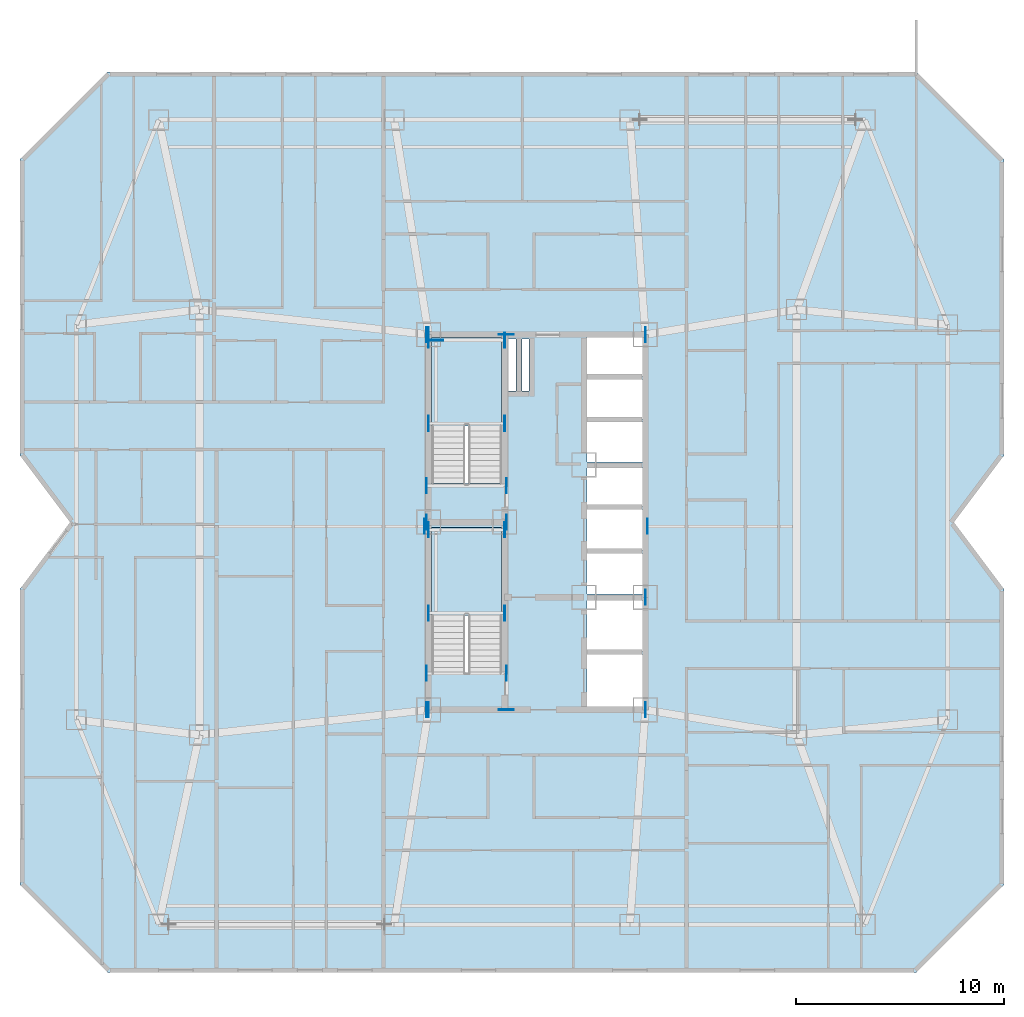
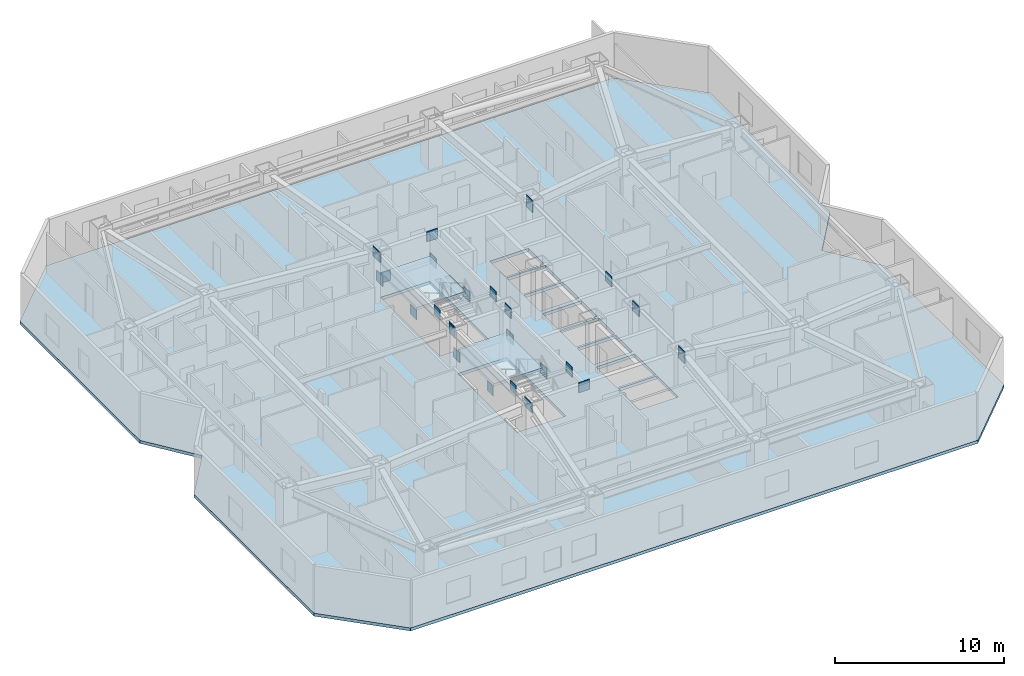
# One storey, part 2 of 11: 28 plates, 3 slabs, 2 elements without a shape of their own.
"""IFC4 building model written with IfcOpenShell, lengths in metres."""

from ifc_helpers import new_model, si_unit, direction, frame, origin, origin_2d, place, context, subcontext, project, spatial, polyline, rectangle, outline, extrude, material, layer, layer_set, type_object, element, aggregate, save


model = new_model("IFC4")

# Units and contexts
model_context = context("Model", 3, precision=1e-05, world=origin(), true_north=direction((0.0, 1.0)))
body_context = subcontext(model_context, "Body", "Model", "MODEL_VIEW")
ifc_project = project(units=[si_unit("LENGTHUNIT", "METRE"), si_unit("AREAUNIT", "SQUARE_METRE"), si_unit("VOLUMEUNIT", "CUBIC_METRE"), si_unit("PLANEANGLEUNIT", "RADIAN"), si_unit("MASSUNIT", "GRAM", prefix="KILO")], contexts=[model_context])

# Site, building, storey
site_placement = place(None, origin())
site = spatial("IfcSite", under=ifc_project, at=site_placement, CompositionType="ELEMENT")
building_placement = place(site_placement, origin())
building = spatial("IfcBuilding", under=site, at=building_placement, Name="Khamvora Tower", CompositionType="ELEMENT")
storey_placement = place(building_placement, frame((0.0, 0.0, 116.5)))
storey = spatial("IfcBuildingStorey", under=building, at=storey_placement, Name="L29", CompositionType="ELEMENT", Elevation=116.5)

# Plates
ifc_material_1 = material(Name="Steel S460", Category="steel")
ifc_layer_1 = layer(ifc_material_1, 0.034912109375)
ifc_layer_set_1 = layer_set([ifc_layer_1], Name="Steel S460")
plate_type = type_object("IfcPlateType", Name="PL-EMB-35", PredefinedType="SHEET", material=ifc_layer_set_1)
for number, where, z_axis, x_axis, name in (
    (1, (29.0, 23.635009765625, 1.1337890625), (0.0, 0.0, 1.0), (1.0, 0.0, 0.0), "L29 core shear wall cast-in embed plate 0852"),
    (2, (32.64990234375, 23.635009765625, 1.1337890625), (0.0, 0.0, 1.0), (1.0, 0.0, 0.0), "L29 core shear wall cast-in embed plate 0853"),
    (3, (29.0, 27.6298828125, 1.1337890625), (0.0, 0.0, 1.0), (1.0, 0.0, 0.0), "L29 core shear wall cast-in embed plate 0854"),
    (4, (32.64990234375, 27.6298828125, 1.1337890625), (0.0, 0.0, 1.0), (1.0, 0.0, 0.0), "L29 core shear wall cast-in embed plate 0855"),
    (5, (29.0, 32.735107421875, 1.1337890625), (0.0, 0.0, 1.0), (1.0, 0.0, 0.0), "L29 core shear wall cast-in embed plate 0856"),
    (6, (32.64990234375, 32.735107421875, 1.1337890625), (0.0, 0.0, 1.0), (1.0, 0.0, 0.0), "L29 core shear wall cast-in embed plate 0857"),
    (7, (29.0, 36.72998046875, 1.1337890625), (0.0, 0.0, 1.0), (1.0, 0.0, 0.0), "L29 core shear wall cast-in embed plate 0858"),
    (8, (32.64990234375, 36.72998046875, 1.1337890625), (0.0, 0.0, 1.0), (1.0, 0.0, 0.0), "L29 core shear wall cast-in embed plate 0859"),
):
    element("IfcPlate", number, at=place(storey_placement, frame(where, z_axis=z_axis, x_axis=x_axis)), inside=storey, type_object=plate_type, Name=name, PredefinedType="SHEET", context=body_context, shape_type="SweptSolid", body=[
        extrude(rectangle(XDim=0.034912109375, YDim=0.719970703125, at=origin_2d()), origin(), (0.0, 0.0, 1.0), 0.719970703125),
    ])
plate_1_placement = place(storey_placement, frame((29.35009765625, 36.72998046875, 1.1337890625), z_axis=(0.0, 0.0, 1.0), x_axis=(1.0, 0.0, 0.0)))
element("IfcPlate", 9, at=plate_1_placement, inside=storey, type_object=plate_type, Name="L29 core shear wall cast-in embed plate 0860", PredefinedType="SHEET", context=body_context, shape_type="SweptSolid", body=[
    extrude(rectangle(XDim=0.719970703125, YDim=0.034912109375, at=origin_2d()), origin(), (0.0, 0.0, 1.0), 0.719970703125),
])
for number, where, z_axis, x_axis, name in (
    (10, (29.0, 19.0, 2.68408203125), (0.0, 0.0, 1.0), (1.0, 0.0, 0.0), "L29 core shear wall cast-in embed plate 0861"),
    (11, (39.39990234375, 19.0, 2.68408203125), (0.0, 0.0, 1.0), (1.0, 0.0, 0.0), "L29 core shear wall cast-in embed plate 0862"),
    (12, (29.0, 37.0, 2.68408203125), (0.0, 0.0, 1.0), (1.0, 0.0, 0.0), "L29 core shear wall cast-in embed plate 0863"),
    (13, (39.39990234375, 37.0, 2.68408203125), (0.0, 0.0, 1.0), (1.0, 0.0, 0.0), "L29 core shear wall cast-in embed plate 0864"),
    (14, (28.89990234375, 19.0, 2.80419921875), (0.0, 0.0, 1.0), (1.0, 0.0, 0.0), "L29 core shear wall cast-in embed plate 0865"),
    (15, (28.89990234375, 28.0, 2.80419921875), (0.0, 0.0, 1.0), (1.0, 0.0, 0.0), "L29 core shear wall cast-in embed plate 0866"),
    (16, (28.89990234375, 37.0, 2.80419921875), (0.0, 0.0, 1.0), (1.0, 0.0, 0.0), "L29 core shear wall cast-in embed plate 0867"),
):
    element("IfcPlate", number, at=place(storey_placement, frame(where, z_axis=z_axis, x_axis=x_axis)), inside=storey, type_object=plate_type, Name=name, PredefinedType="SHEET", context=body_context, shape_type="SweptSolid", body=[
        extrude(rectangle(XDim=0.034912109375, YDim=0.719970703125, at=origin_2d()), origin(), (0.0, 0.0, 1.0), 0.719970703125),
    ])
plate_2_placement = place(storey_placement, frame((32.72998046875, 19.0, 2.80419921875), z_axis=(0.0, 0.0, 1.0), x_axis=(1.0, 0.0, 0.0)))
element("IfcPlate", 17, at=plate_2_placement, inside=storey, type_object=plate_type, Name="L29 core shear wall cast-in embed plate 0868", PredefinedType="SHEET", context=body_context, shape_type="SweptSolid", body=[
    extrude(rectangle(XDim=0.719970703125, YDim=0.034912109375, at=origin_2d()), origin(), (0.0, 0.0, 1.0), 0.719970703125),
])
plate_3_placement = place(storey_placement, frame((32.72998046875, 28.0, 2.80419921875), z_axis=(0.0, 0.0, 1.0), x_axis=(1.0, 0.0, 0.0)))
element("IfcPlate", 18, at=plate_3_placement, inside=storey, type_object=plate_type, Name="L29 core shear wall cast-in embed plate 0869", PredefinedType="SHEET", context=body_context, shape_type="SweptSolid", body=[
    extrude(rectangle(XDim=0.034912109375, YDim=0.719970703125, at=origin_2d()), origin(), (0.0, 0.0, 1.0), 0.719970703125),
])
plate_4_placement = place(storey_placement, frame((32.72998046875, 37.0, 2.80419921875), z_axis=(0.0, 0.0, 1.0), x_axis=(1.0, 0.0, 0.0)))
element("IfcPlate", 19, at=plate_4_placement, inside=storey, type_object=plate_type, Name="L29 core shear wall cast-in embed plate 0870", PredefinedType="SHEET", context=body_context, shape_type="SweptSolid", body=[
    extrude(rectangle(XDim=0.719970703125, YDim=0.034912109375, at=origin_2d()), origin(), (0.0, 0.0, 1.0), 0.719970703125),
])
for number, where, z_axis, x_axis, name in (
    (20, (39.39990234375, 19.0, 2.80419921875), (0.0, 0.0, 1.0), (1.0, 0.0, 0.0), "L29 core shear wall cast-in embed plate 0871"),
    (21, (39.39990234375, 24.39990234375, 2.80419921875), (0.0, 0.0, 1.0), (1.0, 0.0, 0.0), "L29 core shear wall cast-in embed plate 0872"),
    (22, (39.39990234375, 37.0, 2.80419921875), (0.0, 0.0, 1.0), (1.0, 0.0, 0.0), "L29 core shear wall cast-in embed plate 0873"),
    (23, (28.89990234375, 20.75, 2.94384765625), (0.0, 0.0, 1.0), (1.0, 0.0, 0.0), "L29 core shear wall cast-in embed plate 0874"),
    (24, (32.72998046875, 20.75, 2.94384765625), (0.0, 0.0, 1.0), (1.0, 0.0, 0.0), "L29 core shear wall cast-in embed plate 0875"),
    (25, (28.89990234375, 29.75, 2.94384765625), (0.0, 0.0, 1.0), (1.0, 0.0, 0.0), "L29 core shear wall cast-in embed plate 0876"),
    (26, (32.72998046875, 29.75, 2.94384765625), (0.0, 0.0, 1.0), (1.0, 0.0, 0.0), "L29 core shear wall cast-in embed plate 0877"),
    (27, (28.800048828125, 27.800048828125, 2.8408203125), (0.0, 0.0, 1.0), (1.0, 0.0, 0.0), "L29 core shear wall cast-in embed plate 0878"),
    (28, (39.4990234375, 27.800048828125, 2.8408203125), (0.0, 0.0, 1.0), (1.0, 0.0, 0.0), "L29 core shear wall cast-in embed plate 0879"),
):
    element("IfcPlate", number, at=place(storey_placement, frame(where, z_axis=z_axis, x_axis=x_axis)), inside=storey, type_object=plate_type, Name=name, PredefinedType="SHEET", context=body_context, shape_type="SweptSolid", body=[
        extrude(rectangle(XDim=0.034912109375, YDim=0.719970703125, at=origin_2d()), origin(), (0.0, 0.0, 1.0), 0.719970703125),
    ])

# Stair, slab
ifc_material_2 = material(Name="Concrete C40/50", Category="concrete")
stair_type_1 = type_object("IfcStairType", Name="STR-ST-01", PredefinedType="HALF_TURN_STAIR", material=ifc_material_2)
stair_1_placement = place(storey_placement, origin())
stair_1 = element("IfcStair", 29, at=stair_1_placement, inside=storey, type_object=stair_type_1, Name="L29 South Tower Exit Stair ST-01", PredefinedType="HALF_TURN_STAIR")
ifc_layer_2 = layer(ifc_material_2, 0.199951171875)
ifc_layer_set_2 = layer_set([ifc_layer_2], Name="Concrete C40/50")
slab_type_1 = type_object("IfcSlabType", Name="SLB-LND-200", PredefinedType="LANDING", material=ifc_layer_set_2)
slab_1_placement = place(storey_placement, frame((0.0, 0.0, 1.625)))
slab_1 = element("IfcSlab", 30, at=slab_1_placement, type_object=slab_type_1, Name="ST-01 landing 1", PredefinedType="LANDING", context=body_context, shape_type="SweptSolid", body=[
    extrude(outline(polyline([(32.5, 23.514892578125), (32.5, 27.75), (29.14990234375, 27.75), (29.14990234375, 23.514892578125), (32.5, 23.514892578125)])), origin(), (0.0, 0.0, 1.0), 0.199951171875),
])
aggregate(stair_1, [slab_1])

stair_type_2 = type_object("IfcStairType", Name="STR-ST-02", PredefinedType="HALF_TURN_STAIR", material=ifc_material_2)
stair_2_placement = place(storey_placement, origin())
stair_2 = element("IfcStair", 31, at=stair_2_placement, inside=storey, type_object=stair_type_2, Name="L29 North Tower Exit Stair ST-02", PredefinedType="HALF_TURN_STAIR")
slab_2_placement = place(storey_placement, frame((0.0, 0.0, 1.625)))
slab_2 = element("IfcSlab", 32, at=slab_2_placement, type_object=slab_type_1, Name="ST-02 landing 1", PredefinedType="LANDING", context=body_context, shape_type="SweptSolid", body=[
    extrude(outline(polyline([(32.5, 32.614990234375), (32.5, 36.85009765625), (29.14990234375, 36.85009765625), (29.14990234375, 32.614990234375), (32.5, 32.614990234375)])), origin(), (0.0, 0.0, 1.0), 0.199951171875),
])
aggregate(stair_2, [slab_2])

# Slab
ifc_material_3 = material(Name="Concrete C35/45", Category="concrete")
ifc_layer_3 = layer(ifc_material_3, 0.219970703125)
ifc_layer_set_3 = layer_set([ifc_layer_3], Name="Concrete C35/45")
slab_type_2 = type_object("IfcSlabType", Name="SLB-TYP-220", PredefinedType="FLOOR", material=ifc_layer_set_3)
slab_3_placement = place(storey_placement, frame((0.0, 0.0, -0.219970703125)))
element("IfcSlab", 33, at=slab_3_placement, inside=storey, type_object=slab_type_2, Name="L29 structural floor slab", PredefinedType="FLOOR", context=body_context, shape_type="SweptSolid", body=[
    extrude(outline(polyline([(13.60009765625, 6.39990234375), (52.39990234375, 6.39990234375), (56.60009765625, 10.60009765625), (56.60009765625, 24.800048828125), (54.199951171875, 28.0), (56.60009765625, 31.199951171875), (56.60009765625, 45.39990234375), (52.39990234375, 49.60009765625), (13.60009765625, 49.60009765625), (9.39990234375, 45.39990234375), (9.39990234375, 31.199951171875), (11.800048828125, 28.0), (9.39990234375, 24.800048828125), (9.39990234375, 10.60009765625), (13.60009765625, 6.39990234375)]), holes=[polyline([(32.5, 20.760009765625), (32.5, 27.75), (29.14990234375, 27.75), (29.14990234375, 20.760009765625), (32.5, 20.760009765625)]), polyline([(32.5, 29.860107421875), (32.5, 36.85009765625), (29.14990234375, 36.85009765625), (29.14990234375, 29.860107421875), (32.5, 29.860107421875)]), polyline([(36.60009765625, 19.14990234375), (39.25, 19.14990234375), (39.25, 21.64990234375), (36.60009765625, 21.64990234375), (36.60009765625, 19.14990234375)]), polyline([(36.60009765625, 21.800048828125), (39.25, 21.800048828125), (39.25, 24.25), (36.60009765625, 24.25), (36.60009765625, 21.800048828125)]), polyline([(36.60009765625, 24.550048828125), (39.25, 24.550048828125), (39.25, 26.5), (36.60009765625, 26.5), (36.60009765625, 24.550048828125)]), polyline([(36.60009765625, 26.64990234375), (39.25, 26.64990234375), (39.25, 28.60009765625), (36.60009765625, 28.60009765625), (36.60009765625, 26.64990234375)]), polyline([(36.60009765625, 28.75), (39.25, 28.75), (39.25, 30.60009765625), (36.60009765625, 30.60009765625), (36.60009765625, 28.75)]), polyline([(36.60009765625, 30.89990234375), (39.25, 30.89990234375), (39.25, 32.800048828125), (36.60009765625, 32.800048828125), (36.60009765625, 30.89990234375)]), polyline([(36.60009765625, 32.949951171875), (39.25, 32.949951171875), (39.25, 34.85009765625), (36.60009765625, 34.85009765625), (36.60009765625, 32.949951171875)]), polyline([(36.60009765625, 35.0), (39.25, 35.0), (39.25, 36.85009765625), (36.60009765625, 36.85009765625), (36.60009765625, 35.0)]), polyline([(32.800048828125, 34.300048828125), (33.199951171875, 34.300048828125), (33.199951171875, 36.800048828125), (32.800048828125, 36.800048828125), (32.800048828125, 34.300048828125)]), polyline([(33.47998046875, 34.300048828125), (33.820068359375, 34.300048828125), (33.820068359375, 36.800048828125), (33.47998046875, 36.800048828125), (33.47998046875, 34.300048828125)])]), origin(), (0.0, 0.0, 1.0), 0.219970703125),
])

save(model, "model.ifc")
